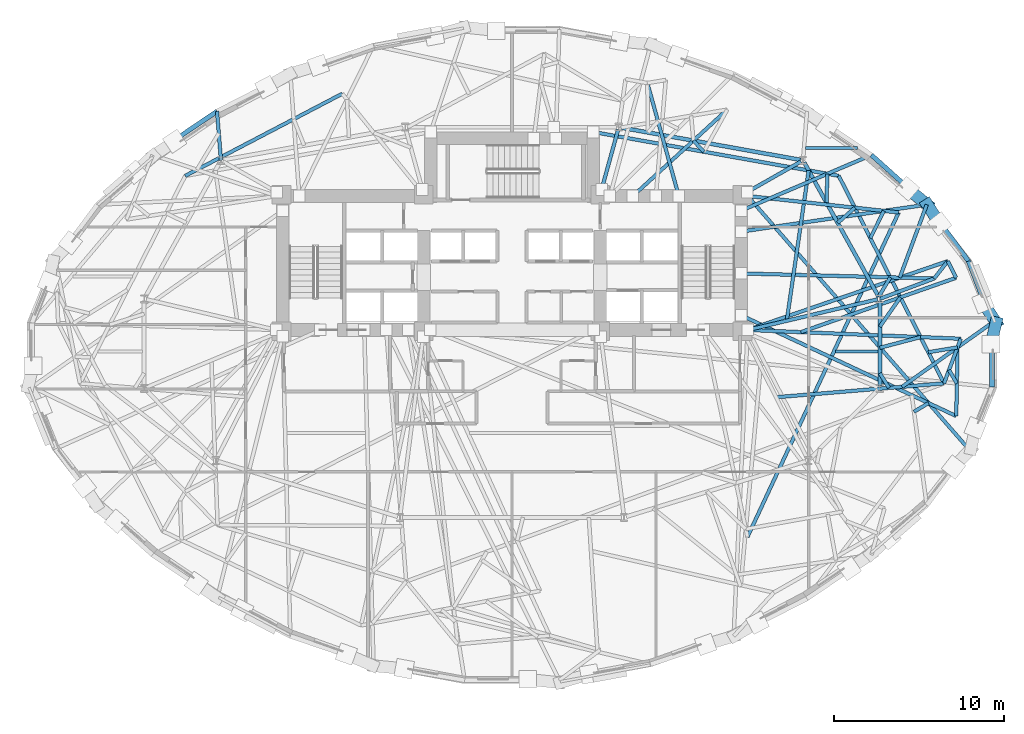
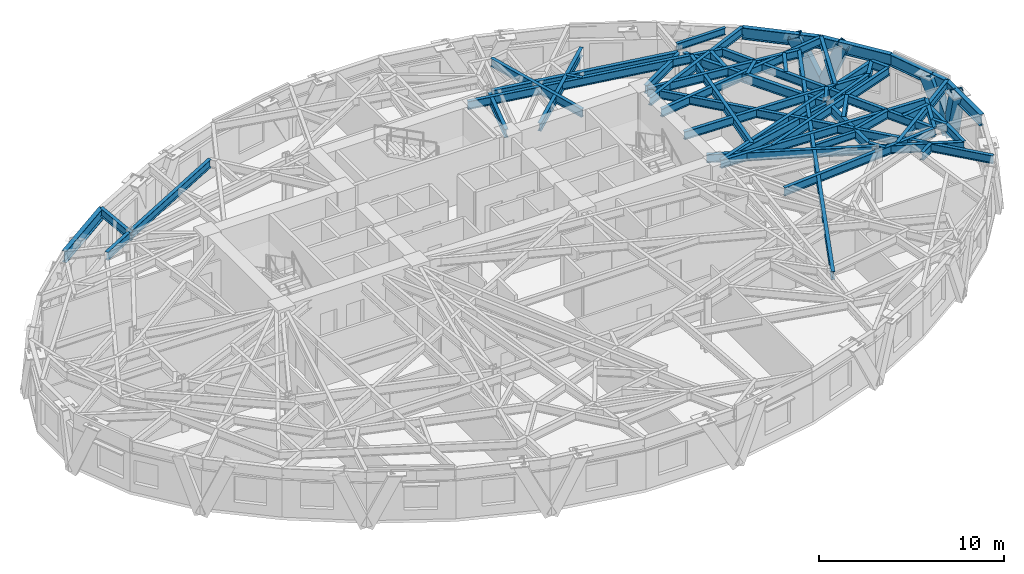
# One storey, part 4 of 15: 49 beams, 4 members.
"""IFC4 building model written with IfcOpenShell, lengths in metres."""

from ifc_helpers import new_model, si_unit, direction, frame, origin, origin_2d, place, context, subcontext, project, spatial, hollow_rectangle, i_section, extrude, material, material_profile, profile_set, type_object, element, save


model = new_model("IFC4")

# Units and contexts
model_context = context("Model", 3, precision=1e-05, world=origin(), true_north=direction((0.0, 1.0)))
body_context = subcontext(model_context, "Body", "Model", "MODEL_VIEW")
ifc_project = project(units=[si_unit("LENGTHUNIT", "METRE"), si_unit("AREAUNIT", "SQUARE_METRE"), si_unit("VOLUMEUNIT", "CUBIC_METRE"), si_unit("PLANEANGLEUNIT", "RADIAN"), si_unit("MASSUNIT", "GRAM", prefix="KILO")], contexts=[model_context])

# Site, building, storey
site_placement = place(None, origin())
site = spatial("IfcSite", under=ifc_project, at=site_placement, CompositionType="ELEMENT")
building_placement = place(site_placement, origin())
building = spatial("IfcBuilding", under=site, at=building_placement, Name="Keldmark Tower", CompositionType="ELEMENT")
storey_placement = place(building_placement, frame((0.0, 0.0, 93.10009765625)))
storey = spatial("IfcBuildingStorey", under=building, at=storey_placement, Name="L24", CompositionType="ELEMENT", Elevation=93.10009765625)

# Beams
ifc_material_1 = material(Name="Steel ASTM A992 Grade 50", Category="steel")
ifc_material_profile_1 = material_profile(ifc_material_1, i_section(OverallWidth=0.19091796875, OverallDepth=0.45703125, WebThickness=0.009033203125, FlangeThickness=0.014404296875, at=origin_2d()), Name="W18X50")
ifc_profile_set_1 = profile_set([ifc_material_profile_1], Name="Steel ASTM A992 Grade 50")
beam_type_1 = type_object("IfcBeamType", Name="Composite Floor Joist W18X50", PredefinedType="JOIST", material=ifc_profile_set_1)
beam_1_placement = place(storey_placement, frame((19.091796875, 0.199951171875, 3.081298828125), z_axis=(1.0, 0.0, 0.0), x_axis=(0.0, 1.0, 0.0)))
element("IfcBeam", 1, at=beam_1_placement, inside=storey, type_object=beam_type_1, Name="L24 Composite Floor Joist J05", PredefinedType="JOIST", context=body_context, shape_type="SweptSolid", body=[
    extrude(i_section(OverallWidth=0.19091796875, OverallDepth=0.45703125, WebThickness=0.009033203125, FlangeThickness=0.014404296875, at=origin_2d()), origin(), (0.0, 0.0, 1.0), 2.49951171875),
])
beam_2_placement = place(storey_placement, frame((17.3212890625, 12.199951171875, 3.081298828125), z_axis=(1.0, 0.0, 0.0), x_axis=(0.0, 1.0, 0.0)))
element("IfcBeam", 2, at=beam_2_placement, inside=storey, type_object=beam_type_1, Name="L24 Composite Floor Joist J07", PredefinedType="JOIST", context=body_context, shape_type="SweptSolid", body=[
    extrude(i_section(OverallWidth=0.19091796875, OverallDepth=0.45703125, WebThickness=0.009033203125, FlangeThickness=0.014404296875, at=origin_2d()), origin(), (0.0, 0.0, 1.0), 3.0556640625),
])

# Members
ifc_material_2 = material(Name="Steel ASTM A572 Grade 50", Category="steel")
ifc_material_profile_2 = material_profile(ifc_material_2, hollow_rectangle(XDim=0.699951171875, YDim=0.699951171875, WallThickness=0.054931640625, at=origin_2d()), Name="BOX700X700X55")
ifc_profile_set_2 = profile_set([ifc_material_profile_2], Name="Steel ASTM A572 Grade 50")
member_type = type_object("IfcMemberType", Name="Diagrid Zone 1 Brace BOX700X700X55", PredefinedType="BRACE", material=ifc_profile_set_2)
member_1_placement = place(storey_placement, frame((28.551513671875, 1.904296875, -0.27001953125), z_axis=(-0.203466548017, 0.319761131464, 0.925394068839), x_axis=(-0.843682769413, -0.536842048089, 0.0)))
element("IfcMember", 3, at=member_1_placement, inside=storey, type_object=member_type, Name="L24 Perimeter Diagrid Brace 01A", PredefinedType="BRACE", context=body_context, shape_type="SweptSolid", body=[
    extrude(hollow_rectangle(XDim=0.699951171875, YDim=0.699951171875, WallThickness=0.054931640625, at=origin_2d()), origin(), (0.0, 0.0, 1.0), 3.739013671875),
])
member_2_placement = place(storey_placement, frame((24.491943359375, 8.877197265625, -0.27001953125), z_axis=(0.197868083869, -0.3067218073, 0.931004808963), x_axis=(0.840317805922, 0.542094073985, 0.0)))
element("IfcMember", 4, at=member_2_placement, inside=storey, type_object=member_type, Name="L24 Perimeter Diagrid Brace 01B", PredefinedType="BRACE", context=body_context, shape_type="SweptSolid", body=[
    extrude(hollow_rectangle(XDim=0.699951171875, YDim=0.699951171875, WallThickness=0.054931640625, at=origin_2d()), origin(), (0.0, 0.0, 1.0), 3.71630859375),
])
member_3_placement = place(storey_placement, frame((24.49658203125, 8.866455078125, -0.27001953125), z_axis=(-0.310842627044, 0.250679537939, 0.916807848173), x_axis=(-0.62775245119, -0.778413039475, 0.0)))
element("IfcMember", 5, at=member_3_placement, inside=storey, type_object=member_type, Name="L24 Perimeter Diagrid Brace 02A", PredefinedType="BRACE", context=body_context, shape_type="SweptSolid", body=[
    extrude(hollow_rectangle(XDim=0.699951171875, YDim=0.699951171875, WallThickness=0.054931640625, at=origin_2d()), origin(), (0.0, 0.0, 1.0), 3.77392578125),
])
member_4_placement = place(storey_placement, frame((28.551513671875, 1.916015625, -0.27001953125), z_axis=(-0.080671987459, -0.345840744275, 0.934818811342), x_axis=(0.973856278511, -0.227165025485, 0.0)))
element("IfcMember", 6, at=member_4_placement, inside=storey, type_object=member_type, Name="L24 Perimeter Diagrid Brace 16B", PredefinedType="BRACE", context=body_context, shape_type="SweptSolid", body=[
    extrude(hollow_rectangle(XDim=0.699951171875, YDim=0.699951171875, WallThickness=0.054931640625, at=origin_2d()), origin(), (0.0, 0.0, 1.0), 3.701171875),
])

# Beams
ifc_material_3 = material(Name="Steel ASTM A992 Grade 50", Category="steel")
ifc_material_profile_3 = material_profile(ifc_material_3, i_section(OverallWidth=0.22900390625, OverallDepth=0.612060546875, WebThickness=0.011962890625, FlangeThickness=0.01953125, at=origin_2d()), Name="W24X84")
ifc_profile_set_3 = profile_set([ifc_material_profile_3], Name="Steel ASTM A992 Grade 50")
beam_type_2 = type_object("IfcBeamType", Name="Primary Floor Girder W24X84", PredefinedType="BEAM", material=ifc_profile_set_3)
beam_3_placement = place(storey_placement, frame((21.62890625, 3.432373046875, 3.00390625), z_axis=(-0.484951836703, 0.874540860154, 0.0), x_axis=(-0.874540860154, -0.484951836703, 0.0)))
element("IfcBeam", 7, at=beam_3_placement, inside=storey, type_object=beam_type_2, Name="L24 Floor Ring Girder FG-R01", PredefinedType="BEAM", context=body_context, shape_type="SweptSolid", body=[
    extrude(i_section(OverallWidth=0.22900390625, OverallDepth=0.612060546875, WebThickness=0.011962890625, FlangeThickness=0.01953125, at=origin_2d()), origin(), (0.0, 0.0, 1.0), 9.060302734375),
])
beam_4_placement = place(storey_placement, frame((17.029296875, 11.503173828125, 3.00390625), z_axis=(-0.984218266992, 0.176958760505, 0.0), x_axis=(-0.176958760505, -0.984218266992, 0.0)))
element("IfcBeam", 8, at=beam_4_placement, inside=storey, type_object=beam_type_2, Name="L24 Floor Ring Girder FG-R02", PredefinedType="BEAM", context=body_context, shape_type="SweptSolid", body=[
    extrude(i_section(OverallWidth=0.22900390625, OverallDepth=0.612060546875, WebThickness=0.011962890625, FlangeThickness=0.01953125, at=origin_2d()), origin(), (0.0, 0.0, 1.0), 10.7626953125),
])
beam_5_placement = place(storey_placement, frame((21.697021484375, -1.825927734375, 3.00390625), z_axis=(0.0, 1.0, 0.0), x_axis=(-1.0, 0.0, 0.0)))
element("IfcBeam", 9, at=beam_5_placement, inside=storey, type_object=beam_type_2, Name="L24 Floor Ring Girder FG-R12", PredefinedType="BEAM", context=body_context, shape_type="SweptSolid", body=[
    extrude(i_section(OverallWidth=0.22900390625, OverallDepth=0.612060546875, WebThickness=0.011962890625, FlangeThickness=0.01953125, at=origin_2d()), origin(), (0.0, 0.0, 1.0), 4.995849609375),
])
ifc_material_4 = material(Name="Steel ASTM A992 Grade 50", Category="steel")
ifc_material_profile_4 = material_profile(ifc_material_4, i_section(OverallWidth=0.2099609375, OverallDepth=0.537109375, WebThickness=0.010986328125, FlangeThickness=0.017333984375, at=origin_2d()), Name="W21X68")
ifc_profile_set_4 = profile_set([ifc_material_profile_4], Name="Steel ASTM A992 Grade 50")
beam_type_3 = type_object("IfcBeamType", Name="Radial Tie Girder W21X68", PredefinedType="BEAM", material=ifc_profile_set_4)
beam_6_placement = place(storey_placement, frame((16.206298828125, 2.014892578125, 3.04150390625), z_axis=(0.144163489117, 0.989553883528, 0.0), x_axis=(-0.989553883528, 0.144163489117, 0.0)))
element("IfcBeam", 10, at=beam_6_placement, inside=storey, type_object=beam_type_3, Name="L24 Framing Pin Header PH-001", PredefinedType="BEAM", context=body_context, shape_type="SweptSolid", body=[
    extrude(i_section(OverallWidth=0.2099609375, OverallDepth=0.537109375, WebThickness=0.010986328125, FlangeThickness=0.017333984375, at=origin_2d()), origin(), (0.0, 0.0, 1.0), 8.960205078125),
])
beam_7_placement = place(storey_placement, frame((4.800048828125, 13.14990234375, 3.04150390625), z_axis=(0.984417311093, -0.175848109515, 0.0), x_axis=(0.175848109515, 0.984417311093, 0.0)))
element("IfcBeam", 11, at=beam_7_placement, inside=storey, type_object=beam_type_3, Name="L24 Sub-Ring Step Girder STP1-M01", PredefinedType="BEAM", context=body_context, shape_type="SweptSolid", body=[
    extrude(i_section(OverallWidth=0.2099609375, OverallDepth=0.537109375, WebThickness=0.010986328125, FlangeThickness=0.017333984375, at=origin_2d()), origin(), (0.0, 0.0, 1.0), 14.70263671875),
])
beam_8_placement = place(storey_placement, frame((21.697021484375, -1.076416015625, 3.04150390625), z_axis=(0.531413853681, -0.847112339726, 0.0), x_axis=(0.847112339726, 0.531413853681, 0.0)))
element("IfcBeam", 12, at=beam_8_placement, inside=storey, type_object=beam_type_3, Name="L24 Framing Pin Header PH-007", PredefinedType="BEAM", context=body_context, shape_type="SweptSolid", body=[
    extrude(i_section(OverallWidth=0.2099609375, OverallDepth=0.537109375, WebThickness=0.010986328125, FlangeThickness=0.017333984375, at=origin_2d()), origin(), (0.0, 0.0, 1.0), 1.023193359375),
])
beam_9_placement = place(storey_placement, frame((15.57958984375, -2.4951171875, 3.04150390625), z_axis=(0.996585625711, 0.082565674621, 0.0), x_axis=(-0.082565674621, 0.996585625711, 0.0)))
element("IfcBeam", 13, at=beam_9_placement, inside=storey, type_object=beam_type_3, Name="L24 Sub-Ring Step Girder STP1-M12", PredefinedType="BEAM", context=body_context, shape_type="SweptSolid", body=[
    extrude(i_section(OverallWidth=0.2099609375, OverallDepth=0.537109375, WebThickness=0.010986328125, FlangeThickness=0.017333984375, at=origin_2d()), origin(), (0.0, 0.0, 1.0), 9.938232421875),
])
beam_10_placement = place(storey_placement, frame((-10.00830078125, 15.408203125, 3.04150390625), z_axis=(-0.886206487431, -0.463290472204, 0.0), x_axis=(0.463290472204, -0.886206487431, 0.0)))
element("IfcBeam", 14, at=beam_10_placement, inside=storey, type_object=beam_type_3, Name="L24 Perimeter Collector Ring Beam CRG1-M05", PredefinedType="BEAM", context=body_context, shape_type="SweptSolid", body=[
    extrude(i_section(OverallWidth=0.2099609375, OverallDepth=0.537109375, WebThickness=0.010986328125, FlangeThickness=0.017333984375, at=origin_2d()), origin(), (0.0, 0.0, 1.0), 10.455078125),
])
beam_11_placement = place(storey_placement, frame((25.48388671875, -1.674560546875, 3.04150390625), z_axis=(-0.452492601504, 0.891768156857, 0.0), x_axis=(-0.891768156857, -0.452492601504, 0.0)))
element("IfcBeam", 15, at=beam_11_placement, inside=storey, type_object=beam_type_3, Name="L24 Perimeter Collector Ring Beam CRG1-M12", PredefinedType="BEAM", context=body_context, shape_type="SweptSolid", body=[
    extrude(i_section(OverallWidth=0.2099609375, OverallDepth=0.537109375, WebThickness=0.010986328125, FlangeThickness=0.017333984375, at=origin_2d()), origin(), (0.0, 0.0, 1.0), 13.724365234375),
])
beam_12_placement = place(storey_placement, frame((19.21240234375, 7.790283203125, 3.04150390625), z_axis=(0.750527333248, 0.660839407154, 0.0), x_axis=(-0.660839407154, 0.750527333248, 0.0)))
element("IfcBeam", 16, at=beam_12_placement, inside=storey, type_object=beam_type_3, Name="L24 Framing Pin Header PH-008", PredefinedType="BEAM", context=body_context, shape_type="SweptSolid", body=[
    extrude(i_section(OverallWidth=0.2099609375, OverallDepth=0.537109375, WebThickness=0.010986328125, FlangeThickness=0.017333984375, at=origin_2d()), origin(), (0.0, 0.0, 1.0), 1.352783203125),
])
beam_13_placement = place(storey_placement, frame((13.89990234375, 9.375, 3.04150390625), z_axis=(0.994094216453, -0.108520453438, 0.0), x_axis=(0.108520453438, 0.994094216453, 0.0)))
element("IfcBeam", 17, at=beam_13_placement, inside=storey, type_object=beam_type_3, Name="L24 Sub-Ring Step Girder STP2-M01", PredefinedType="BEAM", context=body_context, shape_type="SweptSolid", body=[
    extrude(i_section(OverallWidth=0.2099609375, OverallDepth=0.537109375, WebThickness=0.010986328125, FlangeThickness=0.017333984375, at=origin_2d()), origin(), (0.0, 0.0, 1.0), 8.960693359375),
])
beam_14_placement = place(storey_placement, frame((13.889404296875, -10.73681640625, 3.04150390625), z_axis=(0.422360026023, 0.906428159546, 0.0), x_axis=(-0.906428159546, 0.422360026023, 0.0)))
element("IfcBeam", 18, at=beam_14_placement, inside=storey, type_object=beam_type_3, Name="L24 Perimeter Collector Ring Beam CRG2-M11", PredefinedType="BEAM", context=body_context, shape_type="SweptSolid", body=[
    extrude(i_section(OverallWidth=0.2099609375, OverallDepth=0.537109375, WebThickness=0.010986328125, FlangeThickness=0.017333984375, at=origin_2d()), origin(), (0.0, 0.0, 1.0), 21.115234375),
])
beam_15_placement = place(storey_placement, frame((21.697021484375, 0.422119140625, 3.04150390625), z_axis=(0.967249966953, 0.253825730432, 0.0), x_axis=(-0.253825730432, 0.967249966953, 0.0)))
element("IfcBeam", 19, at=beam_15_placement, inside=storey, type_object=beam_type_3, Name="L24 Framing Pin Header PH-014", PredefinedType="BEAM", context=body_context, shape_type="SweptSolid", body=[
    extrude(i_section(OverallWidth=0.2099609375, OverallDepth=0.537109375, WebThickness=0.010986328125, FlangeThickness=0.017333984375, at=origin_2d()), origin(), (0.0, 0.0, 1.0), 2.484375),
])
beam_16_placement = place(storey_placement, frame((13.89990234375, 1.47509765625, 3.04150390625), z_axis=(0.999143569229, -0.041377869303, 0.0), x_axis=(0.041377869303, 0.999143569229, 0.0)))
element("IfcBeam", 20, at=beam_16_placement, inside=storey, type_object=beam_type_3, Name="L24 Intermediate Radial Step Girder RT-01M", PredefinedType="BEAM", context=body_context, shape_type="SweptSolid", body=[
    extrude(i_section(OverallWidth=0.2099609375, OverallDepth=0.537109375, WebThickness=0.010986328125, FlangeThickness=0.017333984375, at=origin_2d()), origin(), (0.0, 0.0, 1.0), 12.579345703125),
])
beam_17_placement = place(storey_placement, frame((25.48388671875, -1.674560546875, 3.04150390625), z_axis=(0.350713619249, 0.936482758663, 0.0), x_axis=(-0.936482758663, 0.350713619249, 0.0)))
element("IfcBeam", 21, at=beam_17_placement, inside=storey, type_object=beam_type_3, Name="L24 Local Collector Chord RT-01C", PredefinedType="BEAM", context=body_context, shape_type="SweptSolid", body=[
    extrude(i_section(OverallWidth=0.2099609375, OverallDepth=0.537109375, WebThickness=0.010986328125, FlangeThickness=0.017333984375, at=origin_2d()), origin(), (0.0, 0.0, 1.0), 2.807373046875),
])
beam_18_placement = place(storey_placement, frame((24.55224609375, 0.1611328125, 3.04150390625), z_axis=(0.986835705012, 0.161725975998, 0.0), x_axis=(-0.161725975998, 0.986835705012, 0.0)))
element("IfcBeam", 22, at=beam_18_placement, inside=storey, type_object=beam_type_3, Name="L24 Framing Pin Header PH-015", PredefinedType="BEAM", context=body_context, shape_type="SweptSolid", body=[
    extrude(i_section(OverallWidth=0.2099609375, OverallDepth=0.537109375, WebThickness=0.010986328125, FlangeThickness=0.017333984375, at=origin_2d()), origin(), (0.0, 0.0, 1.0), 1.748046875),
])
beam_19_placement = place(storey_placement, frame((23.0078125, -1.879638671875, 3.04150390625), z_axis=(0.815127734278, 0.579281258812, 0.0), x_axis=(-0.579281258812, 0.815127734278, 0.0)))
element("IfcBeam", 23, at=beam_19_placement, inside=storey, type_object=beam_type_3, Name="L24 Perimeter Radial Tie Girder RT-01", PredefinedType="BEAM", context=body_context, shape_type="SweptSolid", body=[
    extrude(i_section(OverallWidth=0.2099609375, OverallDepth=0.537109375, WebThickness=0.010986328125, FlangeThickness=0.017333984375, at=origin_2d()), origin(), (0.0, 0.0, 1.0), 6.508056640625),
])
beam_20_placement = place(storey_placement, frame((21.62890625, 3.432373046875, 3.04150390625), z_axis=(0.513174475611, 0.85828431046, 0.0), x_axis=(-0.85828431046, 0.513174475611, 0.0)))
element("IfcBeam", 24, at=beam_20_placement, inside=storey, type_object=beam_type_3, Name="L24 Framing Pin Header PH-016", PredefinedType="BEAM", context=body_context, shape_type="SweptSolid", body=[
    extrude(i_section(OverallWidth=0.2099609375, OverallDepth=0.537109375, WebThickness=0.010986328125, FlangeThickness=0.017333984375, at=origin_2d()), origin(), (0.0, 0.0, 1.0), 1.33203125),
])
beam_21_placement = place(storey_placement, frame((13.52490234375, 4.80712890625, 3.04150390625), z_axis=(0.999653280468, -0.026330948525, 0.0), x_axis=(0.026330948525, 0.999653280468, 0.0)))
element("IfcBeam", 25, at=beam_21_placement, inside=storey, type_object=beam_type_3, Name="L24 Intermediate Radial Step Girder RT-02M", PredefinedType="BEAM", context=body_context, shape_type="SweptSolid", body=[
    extrude(i_section(OverallWidth=0.2099609375, OverallDepth=0.537109375, WebThickness=0.010986328125, FlangeThickness=0.017333984375, at=origin_2d()), origin(), (0.0, 0.0, 1.0), 11.376708984375),
])
beam_22_placement = place(storey_placement, frame((21.697021484375, 3.309814453125, 3.04150390625), z_axis=(0.936569698267, 0.350481383654, 0.0), x_axis=(-0.350481383654, 0.936569698267, 0.0)))
element("IfcBeam", 26, at=beam_22_placement, inside=storey, type_object=beam_type_3, Name="L24 Local Collector Chord RT-02C", PredefinedType="BEAM", context=body_context, shape_type="SweptSolid", body=[
    extrude(i_section(OverallWidth=0.2099609375, OverallDepth=0.537109375, WebThickness=0.010986328125, FlangeThickness=0.017333984375, at=origin_2d()), origin(), (0.0, 0.0, 1.0), 3.41748046875),
])
beam_23_placement = place(storey_placement, frame((21.13671875, 6.892578125, 3.04150390625), z_axis=(0.446178836616, 0.894943822682, 0.0), x_axis=(-0.894943822682, 0.446178836616, 0.0)))
element("IfcBeam", 27, at=beam_23_placement, inside=storey, type_object=beam_type_3, Name="L24 Framing Pin Header PH-017", PredefinedType="BEAM", context=body_context, shape_type="SweptSolid", body=[
    extrude(i_section(OverallWidth=0.2099609375, OverallDepth=0.537109375, WebThickness=0.010986328125, FlangeThickness=0.017333984375, at=origin_2d()), origin(), (0.0, 0.0, 1.0), 1.793701171875),
])
beam_24_placement = place(storey_placement, frame((13.52490234375, 7.278564453125, 3.04150390625), z_axis=(0.989659417566, 0.143437223981, 0.0), x_axis=(-0.143437223981, 0.989659417566, 0.0)))
element("IfcBeam", 28, at=beam_24_placement, inside=storey, type_object=beam_type_3, Name="L24 Perimeter Radial Tie Girder RT-03", PredefinedType="BEAM", context=body_context, shape_type="SweptSolid", body=[
    extrude(i_section(OverallWidth=0.2099609375, OverallDepth=0.537109375, WebThickness=0.010986328125, FlangeThickness=0.017333984375, at=origin_2d()), origin(), (0.0, 0.0, 1.0), 11.05322265625),
])
beam_25_placement = place(storey_placement, frame((18.55322265625, 8.978759765625, 3.04150390625), z_axis=(0.029192992688, 0.999573793763, 0.0), x_axis=(-0.999573793763, 0.029192992688, 0.0)))
element("IfcBeam", 29, at=beam_25_placement, inside=storey, type_object=beam_type_3, Name="L24 Framing Pin Header PH-018", PredefinedType="BEAM", context=body_context, shape_type="SweptSolid", body=[
    extrude(i_section(OverallWidth=0.2099609375, OverallDepth=0.537109375, WebThickness=0.010986328125, FlangeThickness=0.017333984375, at=origin_2d()), origin(), (0.0, 0.0, 1.0), 1.7060546875),
])
beam_26_placement = place(storey_placement, frame((13.52490234375, 8.514404296875, 3.04150390625), z_axis=(0.919568041594, 0.392930804187, 0.0), x_axis=(-0.392930804187, 0.919568041594, 0.0)))
element("IfcBeam", 30, at=beam_26_placement, inside=storey, type_object=beam_type_3, Name="L24 Perimeter Radial Tie Girder RT-04", PredefinedType="BEAM", context=body_context, shape_type="SweptSolid", body=[
    extrude(i_section(OverallWidth=0.2099609375, OverallDepth=0.537109375, WebThickness=0.010986328125, FlangeThickness=0.017333984375, at=origin_2d()), origin(), (0.0, 0.0, 1.0), 8.34814453125),
])
beam_27_placement = place(storey_placement, frame((11.313232421875, 11.986572265625, 3.04150390625), z_axis=(-0.683297668255, 0.73013991574, 0.0), x_axis=(-0.73013991574, -0.683297668255, 0.0)))
element("IfcBeam", 31, at=beam_27_placement, inside=storey, type_object=beam_type_3, Name="L24 Framing Pin Header PH-019", PredefinedType="BEAM", context=body_context, shape_type="SweptSolid", body=[
    extrude(i_section(OverallWidth=0.2099609375, OverallDepth=0.537109375, WebThickness=0.010986328125, FlangeThickness=0.017333984375, at=origin_2d()), origin(), (0.0, 0.0, 1.0), 0.896484375),
])
beam_28_placement = place(storey_placement, frame((7.132080078125, 9.375, 3.04150390625), z_axis=(0.737684662066, 0.675145420892, 0.0), x_axis=(-0.675145420892, 0.737684662066, 0.0)))
element("IfcBeam", 32, at=beam_28_placement, inside=storey, type_object=beam_type_3, Name="L24 Intermediate Radial Step Girder RT-06M", PredefinedType="BEAM", context=body_context, shape_type="SweptSolid", body=[
    extrude(i_section(OverallWidth=0.2099609375, OverallDepth=0.537109375, WebThickness=0.010986328125, FlangeThickness=0.017333984375, at=origin_2d()), origin(), (0.0, 0.0, 1.0), 7.542236328125),
])
beam_29_placement = place(storey_placement, frame((-17.1669921875, 11.478271484375, 3.04150390625), z_axis=(-0.08014968323, 0.996782839077, 0.0), x_axis=(-0.996782839077, -0.08014968323, 0.0)))
element("IfcBeam", 33, at=beam_29_placement, inside=storey, type_object=beam_type_3, Name="L24 Perimeter Column Bracket RT-12", PredefinedType="BEAM", context=body_context, shape_type="SweptSolid", body=[
    extrude(i_section(OverallWidth=0.2099609375, OverallDepth=0.537109375, WebThickness=0.010986328125, FlangeThickness=0.017333984375, at=origin_2d()), origin(), (0.0, 0.0, 1.0), 2.90283203125),
])
beam_30_placement = place(storey_placement, frame((13.52490234375, 2.335693359375, 3.04150390625), z_axis=(0.905525509051, -0.424291824642, 0.0), x_axis=(0.424291824642, 0.905525509051, 0.0)))
element("IfcBeam", 34, at=beam_30_placement, inside=storey, type_object=beam_type_3, Name="L24 Intermediate Radial Step Girder RT-31M", PredefinedType="BEAM", context=body_context, shape_type="SweptSolid", body=[
    extrude(i_section(OverallWidth=0.2099609375, OverallDepth=0.537109375, WebThickness=0.010986328125, FlangeThickness=0.017333984375, at=origin_2d()), origin(), (0.0, 0.0, 1.0), 14.003173828125),
])
beam_31_placement = place(storey_placement, frame((26.27734375, 0.44384765625, 3.04150390625), z_axis=(-0.017842459755, -0.999840810644, 0.0), x_axis=(0.999840810644, -0.017842459755, 0.0)))
element("IfcBeam", 35, at=beam_31_placement, inside=storey, type_object=beam_type_3, Name="L24 Local Collector Chord RT-31C", PredefinedType="BEAM", context=body_context, shape_type="SweptSolid", body=[
    extrude(i_section(OverallWidth=0.2099609375, OverallDepth=0.537109375, WebThickness=0.010986328125, FlangeThickness=0.017333984375, at=origin_2d()), origin(), (0.0, 0.0, 1.0), 4.05029296875),
])
beam_32_placement = place(storey_placement, frame((23.712646484375, -3.348876953125, 3.04150390625), z_axis=(0.859774131289, 0.510674498254, 0.0), x_axis=(-0.510674498254, 0.859774131289, 0.0)))
element("IfcBeam", 36, at=beam_32_placement, inside=storey, type_object=beam_type_3, Name="L24 Framing Pin Header PH-045", PredefinedType="BEAM", context=body_context, shape_type="SweptSolid", body=[
    extrude(i_section(OverallWidth=0.2099609375, OverallDepth=0.537109375, WebThickness=0.010986328125, FlangeThickness=0.017333984375, at=origin_2d()), origin(), (0.0, 0.0, 1.0), 0.997314453125),
])
beam_33_placement = place(storey_placement, frame((13.89990234375, 9.375, 3.04150390625), z_axis=(0.657888085679, -0.753115706065, 0.0), x_axis=(0.753115706065, 0.657888085679, 0.0)))
element("IfcBeam", 37, at=beam_33_placement, inside=storey, type_object=beam_type_3, Name="L24 Perimeter Radial Tie Girder RT-31", PredefinedType="BEAM", context=body_context, shape_type="SweptSolid", body=[
    extrude(i_section(OverallWidth=0.2099609375, OverallDepth=0.537109375, WebThickness=0.010986328125, FlangeThickness=0.017333984375, at=origin_2d()), origin(), (0.0, 0.0, 1.0), 19.7998046875),
])
beam_34_placement = place(storey_placement, frame((25.779296875, -0.8857421875, 3.04150390625), z_axis=(0.501487147414, -0.865165094637, 0.0), x_axis=(0.865165094637, 0.501487147414, 0.0)))
element("IfcBeam", 38, at=beam_34_placement, inside=storey, type_object=beam_type_3, Name="L24 Framing Pin Header PH-046", PredefinedType="BEAM", context=body_context, shape_type="SweptSolid", body=[
    extrude(i_section(OverallWidth=0.2099609375, OverallDepth=0.537109375, WebThickness=0.010986328125, FlangeThickness=0.017333984375, at=origin_2d()), origin(), (0.0, 0.0, 1.0), 0.917724609375),
])
beam_35_placement = place(storey_placement, frame((24.4638671875, 8.864013671875, 3.04150390625), z_axis=(-0.34632436206, -0.938114831054, 0.0), x_axis=(0.938114831054, -0.34632436206, 0.0)))
element("IfcBeam", 39, at=beam_35_placement, inside=storey, type_object=beam_type_3, Name="L24 Framing Pin Header PH-047", PredefinedType="BEAM", context=body_context, shape_type="SweptSolid", body=[
    extrude(i_section(OverallWidth=0.2099609375, OverallDepth=0.537109375, WebThickness=0.010986328125, FlangeThickness=0.017333984375, at=origin_2d()), origin(), (0.0, 0.0, 1.0), 4.587158203125),
])
beam_36_placement = place(storey_placement, frame((13.89990234375, 1.47509765625, 3.04150390625), z_axis=(0.94567231725, 0.325121313339, 0.0), x_axis=(-0.325121313339, 0.94567231725, 0.0)))
element("IfcBeam", 40, at=beam_36_placement, inside=storey, type_object=beam_type_3, Name="L24 Crown Step Radial Girder RT-02RN1", PredefinedType="BEAM", context=body_context, shape_type="SweptSolid", body=[
    extrude(i_section(OverallWidth=0.2099609375, OverallDepth=0.537109375, WebThickness=0.010986328125, FlangeThickness=0.017333984375, at=origin_2d()), origin(), (0.0, 0.0, 1.0), 12.48193359375),
])
beam_37_placement = place(storey_placement, frame((25.70361328125, 5.533203125, 3.04150390625), z_axis=(-0.617846350101, -0.786298853915, 0.0), x_axis=(0.786298853915, -0.617846350101, 0.0)))
element("IfcBeam", 41, at=beam_37_placement, inside=storey, type_object=beam_type_3, Name="L24 Crown Step Collector Chord RT-02RP1", PredefinedType="BEAM", context=body_context, shape_type="SweptSolid", body=[
    extrude(i_section(OverallWidth=0.2099609375, OverallDepth=0.537109375, WebThickness=0.010986328125, FlangeThickness=0.017333984375, at=origin_2d()), origin(), (0.0, 0.0, 1.0), 1.304443359375),
])
beam_38_placement = place(storey_placement, frame((21.697021484375, 1.671142578125, 3.04150390625), z_axis=(0.574215008171, 0.818704540351, 0.0), x_axis=(-0.818704540351, 0.574215008171, 0.0)))
element("IfcBeam", 42, at=beam_38_placement, inside=storey, type_object=beam_type_3, Name="L24 Framing Pin Header PH-048", PredefinedType="BEAM", context=body_context, shape_type="SweptSolid", body=[
    extrude(i_section(OverallWidth=0.2099609375, OverallDepth=0.537109375, WebThickness=0.010986328125, FlangeThickness=0.017333984375, at=origin_2d()), origin(), (0.0, 0.0, 1.0), 2.111083984375),
])
beam_39_placement = place(storey_placement, frame((17.0419921875, 1.344970703125, 3.04150390625), z_axis=(0.943810890319, 0.330486010772, 0.0), x_axis=(-0.330486010772, 0.943810890319, 0.0)))
element("IfcBeam", 43, at=beam_39_placement, inside=storey, type_object=beam_type_3, Name="L24 Crown Step Radial Girder RT-02RN2", PredefinedType="BEAM", context=body_context, shape_type="SweptSolid", body=[
    extrude(i_section(OverallWidth=0.2099609375, OverallDepth=0.537109375, WebThickness=0.010986328125, FlangeThickness=0.017333984375, at=origin_2d()), origin(), (0.0, 0.0, 1.0), 9.704833984375),
])
beam_40_placement = place(storey_placement, frame((26.201416015625, 4.55224609375, 3.04150390625), z_axis=(-0.452532184359, 0.891748070993, 0.0), x_axis=(-0.891748070993, -0.452532184359, 0.0)))
element("IfcBeam", 44, at=beam_40_placement, inside=storey, type_object=beam_type_3, Name="L24 Crown Step Collector Chord RT-02RP2", PredefinedType="BEAM", context=body_context, shape_type="SweptSolid", body=[
    extrude(i_section(OverallWidth=0.2099609375, OverallDepth=0.537109375, WebThickness=0.010986328125, FlangeThickness=0.017333984375, at=origin_2d()), origin(), (0.0, 0.0, 1.0), 1.10009765625),
])
beam_41_placement = place(storey_placement, frame((9.83935546875, 9.375, 3.04150390625), z_axis=(-0.268153698264, 0.963376143626, 0.0), x_axis=(-0.963376143626, -0.268153698264, 0.0)))
element("IfcBeam", 45, at=beam_41_placement, inside=storey, type_object=beam_type_3, Name="L24 Crown Step Radial Girder RT-07RN1", PredefinedType="BEAM", context=body_context, shape_type="SweptSolid", body=[
    extrude(i_section(OverallWidth=0.2099609375, OverallDepth=0.537109375, WebThickness=0.010986328125, FlangeThickness=0.017333984375, at=origin_2d()), origin(), (0.0, 0.0, 1.0), 6.914794921875),
])
ifc_material_5 = material(Name="Steel ASTM A992 Grade 50", Category="steel")
ifc_material_profile_5 = material_profile(ifc_material_5, i_section(OverallWidth=0.214111328125, OverallDepth=0.549072265625, WebThickness=0.0146484375, FlangeThickness=0.023681640625, at=origin_2d()), Name="W21X93")
ifc_profile_set_5 = profile_set([ifc_material_profile_5], Name="Steel ASTM A992 Grade 50")
beam_type_4 = type_object("IfcBeamType", Name="Radial Tie Girder W21X93", PredefinedType="BEAM", material=ifc_profile_set_5)
beam_42_placement = place(storey_placement, frame((21.560546875, 3.27783203125, 3.035400390625), z_axis=(-0.973283778272, -0.229605502879, 0.0), x_axis=(0.229605502879, -0.973283778272, 0.0)))
element("IfcBeam", 46, at=beam_42_placement, inside=storey, type_object=beam_type_4, Name="L24 Floor Radial Girder FG-C01", PredefinedType="BEAM", context=body_context, shape_type="SweptSolid", body=[
    extrude(i_section(OverallWidth=0.214111328125, OverallDepth=0.549072265625, WebThickness=0.0146484375, FlangeThickness=0.023681640625, at=origin_2d()), origin(), (0.0, 0.0, 1.0), 7.85888671875),
])
beam_43_placement = place(storey_placement, frame((17.04541015625, 11.4091796875, 3.035400390625), z_axis=(-0.86928447329, -0.494312152892, 0.0), x_axis=(0.494312152892, -0.86928447329, 0.0)))
element("IfcBeam", 47, at=beam_43_placement, inside=storey, type_object=beam_type_4, Name="L24 Floor Radial Girder FG-C02", PredefinedType="BEAM", context=body_context, shape_type="SweptSolid", body=[
    extrude(i_section(OverallWidth=0.214111328125, OverallDepth=0.549072265625, WebThickness=0.0146484375, FlangeThickness=0.023681640625, at=origin_2d()), origin(), (0.0, 0.0, 1.0), 3.6435546875),
])
beam_44_placement = place(storey_placement, frame((6.26171875, 13.297607421875, 3.035400390625), z_axis=(-0.265997186795, -0.963973804944, 0.0), x_axis=(0.963973804944, -0.265997186795, 0.0)))
element("IfcBeam", 48, at=beam_44_placement, inside=storey, type_object=beam_type_4, Name="L24 Floor Radial Girder FG-C03", PredefinedType="BEAM", context=body_context, shape_type="SweptSolid", body=[
    extrude(i_section(OverallWidth=0.214111328125, OverallDepth=0.549072265625, WebThickness=0.0146484375, FlangeThickness=0.023681640625, at=origin_2d()), origin(), (0.0, 0.0, 1.0), 3.67138671875),
])
ifc_material_6 = material(Name="Steel ASTM A992 Grade 50", Category="steel")
ifc_material_profile_6 = material_profile(ifc_material_6, i_section(OverallWidth=0.26806640625, OverallDepth=0.77001953125, WebThickness=0.015625, FlangeThickness=0.025390625, at=origin_2d()), Name="W30X132")
ifc_profile_set_6 = profile_set([ifc_material_profile_6], Name="Steel ASTM A992 Grade 50")
beam_type_5 = type_object("IfcBeamType", Name="Spandrel Ring Beam W30X132", PredefinedType="SPANDREL", material=ifc_profile_set_6)
beam_45_placement = place(storey_placement, frame((28.312744140625, 1.890380859375, 2.9248046875), z_axis=(-0.35547477521, 0.934685874607, 0.0), x_axis=(-0.934685874607, -0.35547477521, 0.0)))
element("IfcBeam", 49, at=beam_45_placement, inside=storey, type_object=beam_type_5, Name="L24 Perimeter Spandrel Ring Beam SRB-01", PredefinedType="SPANDREL", context=body_context, shape_type="SweptSolid", body=[
    extrude(i_section(OverallWidth=0.26806640625, OverallDepth=0.77001953125, WebThickness=0.015625, FlangeThickness=0.025390625, at=origin_2d()), origin(), (0.0, 0.0, 1.0), 3.901123046875),
])
beam_46_placement = place(storey_placement, frame((26.926025390625, 5.53662109375, 2.9248046875), z_axis=(-0.594825474023, 0.803854872133, 0.0), x_axis=(-0.803854872133, -0.594825474023, 0.0)))
element("IfcBeam", 50, at=beam_46_placement, inside=storey, type_object=beam_type_5, Name="L24 Perimeter Spandrel Ring Beam SRB-02", PredefinedType="SPANDREL", context=body_context, shape_type="SweptSolid", body=[
    extrude(i_section(OverallWidth=0.26806640625, OverallDepth=0.77001953125, WebThickness=0.015625, FlangeThickness=0.025390625, at=origin_2d()), origin(), (0.0, 0.0, 1.0), 4.139404296875),
])
beam_47_placement = place(storey_placement, frame((24.4638671875, 8.864013671875, 2.9248046875), z_axis=(-0.743897322515, 0.668293927516, 0.0), x_axis=(-0.668293927516, -0.743897322515, 0.0)))
element("IfcBeam", 51, at=beam_47_placement, inside=storey, type_object=beam_type_5, Name="L24 Perimeter Spandrel Ring Beam SRB-03", PredefinedType="SPANDREL", context=body_context, shape_type="SweptSolid", body=[
    extrude(i_section(OverallWidth=0.26806640625, OverallDepth=0.77001953125, WebThickness=0.015625, FlangeThickness=0.025390625, at=origin_2d()), origin(), (0.0, 0.0, 1.0), 4.38525390625),
])
beam_48_placement = place(storey_placement, frame((-17.399658203125, 14.371826171875, 2.9248046875), z_axis=(-0.827757035065, -0.561086705333, 0.0), x_axis=(0.561086705333, -0.827757035065, 0.0)))
element("IfcBeam", 52, at=beam_48_placement, inside=storey, type_object=beam_type_5, Name="L24 Perimeter Spandrel Ring Beam SRB-12", PredefinedType="SPANDREL", context=body_context, shape_type="SweptSolid", body=[
    extrude(i_section(OverallWidth=0.26806640625, OverallDepth=0.77001953125, WebThickness=0.015625, FlangeThickness=0.025390625, at=origin_2d()), origin(), (0.0, 0.0, 1.0), 4.593017578125),
])
beam_49_placement = place(storey_placement, frame((28.312744140625, -1.890380859375, 2.9248046875), z_axis=(0.0, 1.0, 0.0), x_axis=(-1.0, 0.0, 0.0)))
element("IfcBeam", 53, at=beam_49_placement, inside=storey, type_object=beam_type_5, Name="L24 Perimeter Spandrel Ring Beam SRB-32", PredefinedType="SPANDREL", context=body_context, shape_type="SweptSolid", body=[
    extrude(i_section(OverallWidth=0.26806640625, OverallDepth=0.77001953125, WebThickness=0.015625, FlangeThickness=0.025390625, at=origin_2d()), origin(), (0.0, 0.0, 1.0), 3.78076171875),
])

save(model, "model.ifc")
